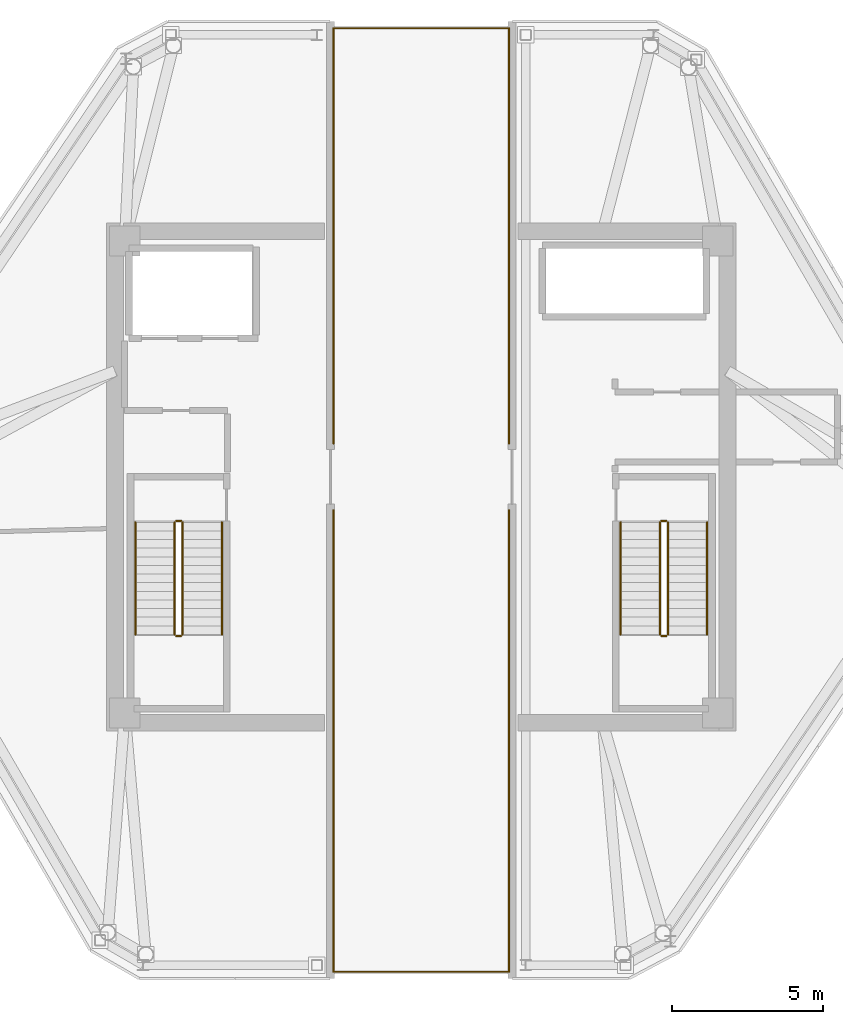
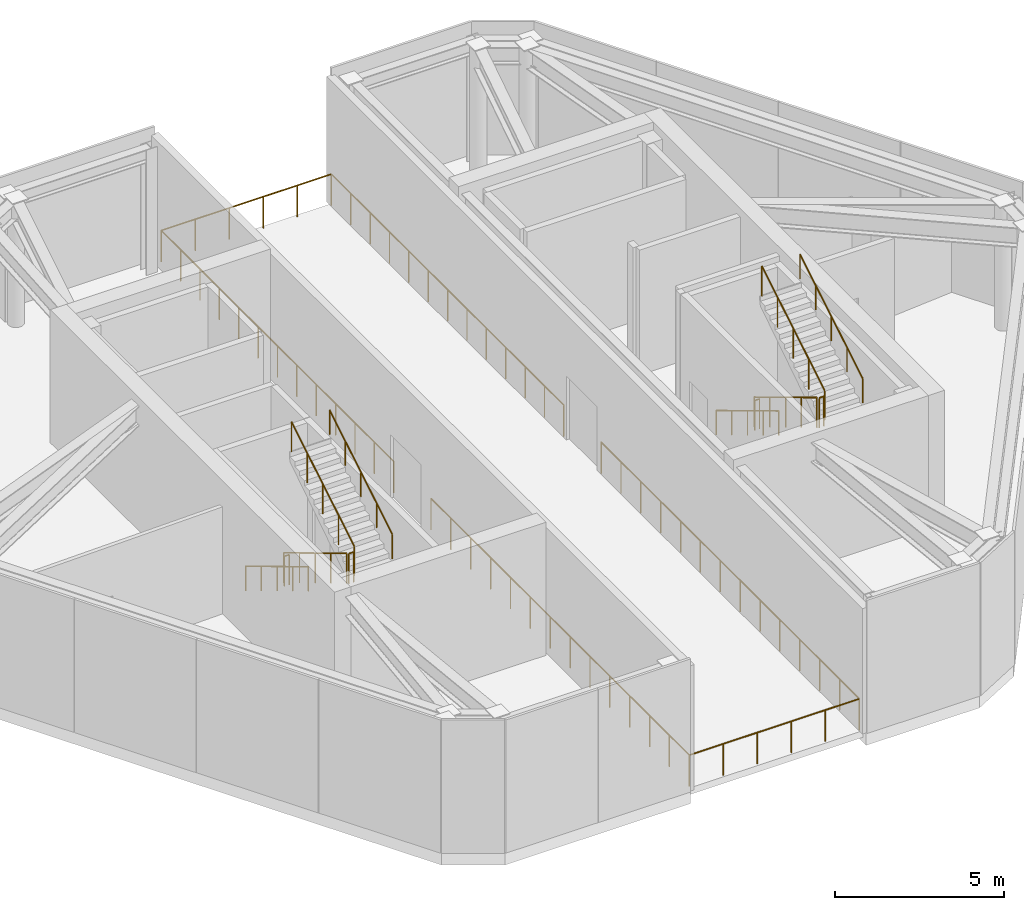
# One storey, part 8 of 8: 18 railings.
"""IFC4 building model written with IfcOpenShell, lengths in metres."""

import ifcopenshell
import ifcopenshell.guid

model = None  # the IFC model being written
_history = None  # IfcOwnerHistory: only IFC2X3 demands one
_inside = {}  # id of a spatial element -> (the spatial element, [elements in it])
_under = {}  # id of a project, library or spatial element -> (it, [spatial elements below it])
_declared = {}  # id of a project -> (the project, [libraries it declares])
_typed = {}  # id of a type object -> (the type object, [elements of that type])
_made_of = {}  # id of a material, layer set ... -> (it, [elements and type objects made of it])


def new_model(schema):
    """Start an empty IFC model of exactly this schema.

    Asked for "IFC4X3", IfcOpenShell would pick the latest addendum, in which some entities
    have other attributes; the version numbers below select the first issue.
    IFC2X3 requires an IfcOwnerHistory on every rooted entity: one is made here for all.
    """
    global model, _history
    if schema == "IFC4X3":
        model = ifcopenshell.file(schema_version=(4, 3, 0, 0))
    else:
        model = ifcopenshell.file(schema=schema)
    _inside.clear()
    _under.clear()
    _declared.clear()
    _typed.clear()
    _made_of.clear()
    _history = None
    if model.schema == "IFC2X3":
        org = make("IfcOrganization", Name="unknown")
        user = make(
            "IfcPersonAndOrganization",
            ThePerson=make("IfcPerson", FamilyName="unknown"),
            TheOrganization=org,
        )
        app = make(
            "IfcApplication",
            ApplicationDeveloper=org,
            Version="unknown",
            ApplicationFullName="unknown",
            ApplicationIdentifier="unknown",
        )
        _history = make(
            "IfcOwnerHistory",
            OwningUser=user,
            OwningApplication=app,
            ChangeAction="ADDED",
            CreationDate=0,
        )
    return model


def make(cls, **values):
    """One entity of the class cls with the attributes given. An attribute that is None is left unset."""
    return model.create_entity(
        cls, **{name: value for name, value in values.items() if value is not None}
    )


def rooted(cls, **values):
    """An entity with a GlobalId (a new one), such as an element, a storey or a relation."""
    return make(cls, GlobalId=ifcopenshell.guid.new(), OwnerHistory=_history, **values)


def si_unit(unit_type, name, prefix=None):
    """IfcSIUnit, for example si_unit("LENGTHUNIT", "METRE", prefix="MILLI")."""
    return make("IfcSIUnit", UnitType=unit_type, Prefix=prefix, Name=name)


def assignment(units):
    """IfcUnitAssignment: the units of a project."""
    return None if units is None else make("IfcUnitAssignment", Units=units)


def point(xyz):
    """IfcCartesianPoint."""
    return None if xyz is None else make("IfcCartesianPoint", Coordinates=xyz)


def direction(xyz):
    """IfcDirection."""
    return None if xyz is None else make("IfcDirection", DirectionRatios=xyz)


def frame(location, z_axis=None, x_axis=None):
    """IfcAxis2Placement3D, a coordinate frame: its origin and axes. An axis left out is left unset."""
    return make(
        "IfcAxis2Placement3D",
        Location=point(location),
        Axis=direction(z_axis),
        RefDirection=direction(x_axis),
    )


def frame_2d(location, x_axis=None):
    """IfcAxis2Placement2D, a coordinate frame in the plane: its origin and x axis."""
    return make(
        "IfcAxis2Placement2D", Location=point(location), RefDirection=direction(x_axis)
    )


def origin():
    """The frame at (0, 0, 0) with its axes left unset."""
    return frame((0.0, 0.0, 0.0))


def origin_2d():
    """The frame at (0, 0) in the plane with its x axis left unset."""
    return frame_2d((0.0, 0.0))


def place(relative_to, where):
    """IfcLocalPlacement: puts the frame where relative to a parent placement (None: the world)."""
    return make(
        "IfcLocalPlacement", PlacementRelTo=relative_to, RelativePlacement=where
    )


def context(
    kind, dimensions, precision=None, world=None, true_north=None, identifier=None
):
    """IfcGeometricRepresentationContext, for example the 3D "Model" context."""
    return make(
        "IfcGeometricRepresentationContext",
        ContextIdentifier=identifier,
        ContextType=kind,
        CoordinateSpaceDimension=dimensions,
        Precision=precision,
        WorldCoordinateSystem=world,
        TrueNorth=true_north,
    )


def subcontext(parent, identifier, kind, view, scale=None):
    """IfcGeometricRepresentationSubContext, for example "Body" below "Model"."""
    return make(
        "IfcGeometricRepresentationSubContext",
        ContextIdentifier=identifier,
        ContextType=kind,
        ParentContext=parent,
        TargetScale=scale,
        TargetView=view,
    )


def project(units=None, contexts=None):
    """IfcProject with its units and contexts."""
    return rooted(
        "IfcProject",
        Name="project",
        RepresentationContexts=contexts,
        UnitsInContext=assignment(units),
    )


def spatial(cls, under=None, at=None, **own):
    """A site, building, storey or space (cls), placed at a placement, below another one or the project."""
    s = rooted(cls, ObjectPlacement=at, **own)
    if under is not None:
        _under.setdefault(under.id(), (under, []))[1].append(s)
    return s


def profile(cls, at=None, kind="AREA", **sizes):
    """A parametric profile (cls). Its sizes go by their IFC names, for example OverallWidth=200.0."""
    return make(cls, ProfileType=kind, Position=at, **sizes)


def circle(**sizes):
    """IfcCircleProfileDef."""
    return profile("IfcCircleProfileDef", **sizes)


def extrude(swept, where, along, depth):
    """IfcExtrudedAreaSolid: the profile swept, set in the frame where, extruded along a direction by depth."""
    return make(
        "IfcExtrudedAreaSolid",
        SweptArea=swept,
        Position=where,
        ExtrudedDirection=direction(along),
        Depth=depth,
    )


def shape(context_of_items, identifier, shape_type, items):
    """IfcShapeRepresentation: the items that make up one representation, for example the "Body"."""
    return make(
        "IfcShapeRepresentation",
        ContextOfItems=context_of_items,
        RepresentationIdentifier=identifier,
        RepresentationType=shape_type,
        Items=items,
    )


def material(Name=None, Category=None):
    """IfcMaterial."""
    return make("IfcMaterial", Name=Name, Category=Category)


def made_of(thing, what):
    """Note that an element or type object is made of a material, layer set ...; save() writes the relation."""
    if what is not None:
        _made_of.setdefault(what.id(), (what, []))[1].append(thing)
    return thing


def type_object(cls, material=None, **own):
    """A type object (cls), such as IfcWallType, which elements share."""
    return made_of(rooted(cls, **own), material)


def element(
    cls,
    number,
    at=None,
    inside=None,
    cuts=None,
    type_object=None,
    material=None,
    context=None,
    identifier="Body",
    shape_type=None,
    held_by="IfcProductDefinitionShape",
    body=None,
    shapes=None,
    **own,
):
    """One element of the class cls, such as IfcWall. Its Tag is "e" and its number.

    at: its placement. inside: the storey or other place that contains it. cuts: it is an
    opening in that element (IfcRelVoidsElement). A single representation is given by context,
    identifier, shape_type and body (its items); several are given by shapes. held_by: the class
    of the entity that holds the representations. save() writes the other relations.
    """
    e = rooted(cls, Tag="e%d" % number, ObjectPlacement=at, **own)
    if body is not None:
        shapes = [shape(context, identifier, shape_type, body)]
    if shapes is not None:
        e.Representation = make(held_by, Representations=shapes)
    if inside is not None:
        _inside.setdefault(inside.id(), (inside, []))[1].append(e)
    if cuts is not None:
        rooted(
            "IfcRelVoidsElement", RelatingBuildingElement=cuts, RelatedOpeningElement=e
        )
    if type_object is not None:
        _typed.setdefault(type_object.id(), (type_object, []))[1].append(e)
    return made_of(e, material)


def aggregate(whole, parts):
    """IfcRelAggregates: a whole, such as a stair, and the parts it consists of."""
    return rooted("IfcRelAggregates", RelatingObject=whole, RelatedObjects=parts)


def save(model, path):
    """Write the relations noted so far, then the file.

    IfcRelAggregates (storeys below a building ...), IfcRelContainedInSpatialStructure (elements
    in a storey), IfcRelDefinesByType, IfcRelAssociatesMaterial and IfcRelDeclares: one each for
    every whole, place, type object, material and project.
    """
    for whole, parts in _under.values():
        aggregate(whole, parts)
    for where, things in _inside.values():
        rooted(
            "IfcRelContainedInSpatialStructure",
            RelatedElements=things,
            RelatingStructure=where,
        )
    for kind, things in _typed.values():
        rooted("IfcRelDefinesByType", RelatedObjects=things, RelatingType=kind)
    for what, things in _made_of.values():
        rooted("IfcRelAssociatesMaterial", RelatedObjects=things, RelatingMaterial=what)
    for by, libraries in _declared.values():
        rooted("IfcRelDeclares", RelatingContext=by, RelatedDefinitions=libraries)
    model.write(path)


model = new_model("IFC4")

# Units and contexts
model_context = context("Model", 3, precision=1e-05, world=origin(), true_north=direction((0.0, 1.0)))
body_context = subcontext(model_context, "Body", "Model", "MODEL_VIEW")
ifc_project = project(units=[si_unit("LENGTHUNIT", "METRE"), si_unit("AREAUNIT", "SQUARE_METRE"), si_unit("VOLUMEUNIT", "CUBIC_METRE"), si_unit("PLANEANGLEUNIT", "RADIAN"), si_unit("MASSUNIT", "GRAM", prefix="KILO")], contexts=[model_context])

# Site, building, storey
site_placement = place(None, origin())
site = spatial("IfcSite", under=ifc_project, at=site_placement, CompositionType="ELEMENT")
building_placement = place(site_placement, origin())
building = spatial("IfcBuilding", under=site, at=building_placement, Name="Durnholm Broadcast Tower", CompositionType="ELEMENT")
storey_placement = place(building_placement, frame((0.0, 0.0, 272.5)))
storey = spatial("IfcBuildingStorey", under=building, at=storey_placement, Name="L76", CompositionType="ELEMENT", Elevation=272.5)

# Railings
ifc_material_1 = material(Name="Painted Tubular Steel Stair Guardrail", Category="steel")
railing_type_1 = type_object("IfcRailingType", Name="RAIL-ST-GRD", PredefinedType="GUARDRAIL", material=ifc_material_1)
railing_1_placement = place(storey_placement, frame((-8.14990234375, -1.5, 0.17138671875)))
element("IfcRailing", 1, at=railing_1_placement, inside=storey, type_object=railing_type_1, Name="L76 ST-1 stair guard 1", PredefinedType="GUARDRAIL", context=body_context, shape_type="SweptSolid", body=[
    extrude(circle(Radius=0.02392578125, at=origin_2d()), frame((0.0, 0.0, 1.076171875), z_axis=(0.0, -0.856934400257, 0.515425487977), x_axis=(1.0, 0.0, 0.0)), (0.0, 0.0, 1.0), 4.32373046875),
    extrude(circle(Radius=0.02099609375, at=origin_2d()), origin(), (0.0, 0.0, 1.0), 1.052001953125),
    extrude(circle(Radius=0.02099609375, at=origin_2d()), frame((0.0, -0.92626953125, 0.55712890625)), (0.0, 0.0, 1.0), 1.052001953125),
    extrude(circle(Radius=0.02099609375, at=origin_2d()), frame((0.0, -1.8525390625, 1.1142578125)), (0.0, 0.0, 1.0), 1.052001953125),
    extrude(circle(Radius=0.02099609375, at=origin_2d()), frame((0.0, -2.77880859375, 1.67138671875)), (0.0, 0.0, 1.0), 1.052001953125),
    extrude(circle(Radius=0.02099609375, at=origin_2d()), frame((0.0, -3.705078125, 2.228515625)), (0.0, 0.0, 1.0), 1.052001953125),
])
railing_2_placement = place(storey_placement, frame((-8.10009765625, -5.2548828125, 2.39990234375)))
element("IfcRailing", 2, at=railing_2_placement, inside=storey, type_object=railing_type_1, Name="L76 ST-1 stair guard 2", PredefinedType="GUARDRAIL", context=body_context, shape_type="SweptSolid", body=[
    extrude(circle(Radius=0.02392578125, at=origin_2d()), frame((0.0, 0.0, 1.076171875), z_axis=(1.0, 0.0, 0.0), x_axis=(0.0, 1.0, 0.0)), (0.0, 0.0, 1.0), 0.16015625),
    extrude(circle(Radius=0.02099609375, at=origin_2d()), origin(), (0.0, 0.0, 1.0), 1.052001953125),
    extrude(circle(Radius=0.02099609375, at=origin_2d()), frame((0.16015625, 0.0, 0.0)), (0.0, 0.0, 1.0), 1.052001953125),
])
railing_3_placement = place(storey_placement, frame((-7.889892578125, -5.205078125, 2.571533203125)))
element("IfcRailing", 3, at=railing_3_placement, inside=storey, type_object=railing_type_1, Name="L76 ST-1 stair guard 3", PredefinedType="GUARDRAIL", context=body_context, shape_type="SweptSolid", body=[
    extrude(circle(Radius=0.02392578125, at=origin_2d()), frame((0.0, 0.0, 1.076171875), z_axis=(0.0, 0.856934400257, 0.515425487977), x_axis=(-1.0, 0.0, 0.0)), (0.0, 0.0, 1.0), 4.32373046875),
    extrude(circle(Radius=0.02099609375, at=origin_2d()), origin(), (0.0, 0.0, 1.0), 1.052001953125),
    extrude(circle(Radius=0.02099609375, at=origin_2d()), frame((0.0, 0.92626953125, 0.55712890625)), (0.0, 0.0, 1.0), 1.052001953125),
    extrude(circle(Radius=0.02099609375, at=origin_2d()), frame((0.0, 1.8525390625, 1.1142578125)), (0.0, 0.0, 1.0), 1.052001953125),
    extrude(circle(Radius=0.02099609375, at=origin_2d()), frame((0.0, 2.77880859375, 1.67138671875)), (0.0, 0.0, 1.0), 1.052001953125),
    extrude(circle(Radius=0.02099609375, at=origin_2d()), frame((0.0, 3.705078125, 2.228515625)), (0.0, 0.0, 1.0), 1.052001953125),
])
railing_4_placement = place(storey_placement, frame((-8.10009765625, -1.449951171875, 0.0)))
element("IfcRailing", 4, at=railing_4_placement, inside=storey, type_object=railing_type_1, Name="L76 ST-1 stair guard 4", PredefinedType="GUARDRAIL", context=body_context, shape_type="SweptSolid", body=[
    extrude(circle(Radius=0.02392578125, at=origin_2d()), frame((0.0, 0.0, 1.076171875), z_axis=(1.0, 0.0, 0.0), x_axis=(0.0, 1.0, 0.0)), (0.0, 0.0, 1.0), 0.16015625),
    extrude(circle(Radius=0.02099609375, at=origin_2d()), origin(), (0.0, 0.0, 1.0), 1.052001953125),
    extrude(circle(Radius=0.02099609375, at=origin_2d()), frame((0.16015625, 0.0, 0.0)), (0.0, 0.0, 1.0), 1.052001953125),
])
railing_5_placement = place(storey_placement, frame((7.889892578125, -1.5, 0.17138671875)))
element("IfcRailing", 5, at=railing_5_placement, inside=storey, type_object=railing_type_1, Name="L76 ST-2 stair guard 1", PredefinedType="GUARDRAIL", context=body_context, shape_type="SweptSolid", body=[
    extrude(circle(Radius=0.02392578125, at=origin_2d()), frame((0.0, 0.0, 1.076171875), z_axis=(0.0, -0.856934400257, 0.515425487977), x_axis=(1.0, 0.0, 0.0)), (0.0, 0.0, 1.0), 4.32373046875),
    extrude(circle(Radius=0.02099609375, at=origin_2d()), origin(), (0.0, 0.0, 1.0), 1.052001953125),
    extrude(circle(Radius=0.02099609375, at=origin_2d()), frame((0.0, -0.92626953125, 0.55712890625)), (0.0, 0.0, 1.0), 1.052001953125),
    extrude(circle(Radius=0.02099609375, at=origin_2d()), frame((0.0, -1.8525390625, 1.1142578125)), (0.0, 0.0, 1.0), 1.052001953125),
    extrude(circle(Radius=0.02099609375, at=origin_2d()), frame((0.0, -2.77880859375, 1.67138671875)), (0.0, 0.0, 1.0), 1.052001953125),
    extrude(circle(Radius=0.02099609375, at=origin_2d()), frame((0.0, -3.705078125, 2.228515625)), (0.0, 0.0, 1.0), 1.052001953125),
])
railing_6_placement = place(storey_placement, frame((7.93994140625, -5.2548828125, 2.39990234375)))
element("IfcRailing", 6, at=railing_6_placement, inside=storey, type_object=railing_type_1, Name="L76 ST-2 stair guard 2", PredefinedType="GUARDRAIL", context=body_context, shape_type="SweptSolid", body=[
    extrude(circle(Radius=0.02392578125, at=origin_2d()), frame((0.0, 0.0, 1.076171875), z_axis=(1.0, 0.0, 0.0), x_axis=(0.0, 1.0, 0.0)), (0.0, 0.0, 1.0), 0.16015625),
    extrude(circle(Radius=0.02099609375, at=origin_2d()), origin(), (0.0, 0.0, 1.0), 1.052001953125),
    extrude(circle(Radius=0.02099609375, at=origin_2d()), frame((0.16015625, 0.0, 0.0)), (0.0, 0.0, 1.0), 1.052001953125),
])
railing_7_placement = place(storey_placement, frame((8.14990234375, -5.205078125, 2.571533203125)))
element("IfcRailing", 7, at=railing_7_placement, inside=storey, type_object=railing_type_1, Name="L76 ST-2 stair guard 3", PredefinedType="GUARDRAIL", context=body_context, shape_type="SweptSolid", body=[
    extrude(circle(Radius=0.02392578125, at=origin_2d()), frame((0.0, 0.0, 1.076171875), z_axis=(0.0, 0.856934400257, 0.515425487977), x_axis=(-1.0, 0.0, 0.0)), (0.0, 0.0, 1.0), 4.32373046875),
    extrude(circle(Radius=0.02099609375, at=origin_2d()), origin(), (0.0, 0.0, 1.0), 1.052001953125),
    extrude(circle(Radius=0.02099609375, at=origin_2d()), frame((0.0, 0.92626953125, 0.55712890625)), (0.0, 0.0, 1.0), 1.052001953125),
    extrude(circle(Radius=0.02099609375, at=origin_2d()), frame((0.0, 1.8525390625, 1.1142578125)), (0.0, 0.0, 1.0), 1.052001953125),
    extrude(circle(Radius=0.02099609375, at=origin_2d()), frame((0.0, 2.77880859375, 1.67138671875)), (0.0, 0.0, 1.0), 1.052001953125),
    extrude(circle(Radius=0.02099609375, at=origin_2d()), frame((0.0, 3.705078125, 2.228515625)), (0.0, 0.0, 1.0), 1.052001953125),
])
railing_8_placement = place(storey_placement, frame((7.93994140625, -1.449951171875, 0.0)))
element("IfcRailing", 8, at=railing_8_placement, inside=storey, type_object=railing_type_1, Name="L76 ST-2 stair guard 4", PredefinedType="GUARDRAIL", context=body_context, shape_type="SweptSolid", body=[
    extrude(circle(Radius=0.02392578125, at=origin_2d()), frame((0.0, 0.0, 1.076171875), z_axis=(1.0, 0.0, 0.0), x_axis=(0.0, 1.0, 0.0)), (0.0, 0.0, 1.0), 0.16015625),
    extrude(circle(Radius=0.02099609375, at=origin_2d()), origin(), (0.0, 0.0, 1.0), 1.052001953125),
    extrude(circle(Radius=0.02099609375, at=origin_2d()), frame((0.16015625, 0.0, 0.0)), (0.0, 0.0, 1.0), 1.052001953125),
])
ifc_material_2 = material(Name="Brushed Stainless Steel Handrail", Category="steel")
railing_type_2 = type_object("IfcRailingType", Name="RAIL-ST-HND", PredefinedType="HANDRAIL", material=ifc_material_2)
railing_9_placement = place(storey_placement, frame((-9.449951171875, -1.5, 0.3427734375)))
element("IfcRailing", 9, at=railing_9_placement, inside=storey, type_object=railing_type_2, Name="L76 ST-1 stair handrail 1", PredefinedType="HANDRAIL", context=body_context, shape_type="SweptSolid", body=[
    extrude(circle(Radius=0.02392578125, at=origin_2d()), frame((0.0, 0.0, 0.8759765625), z_axis=(0.0, -0.856909459561, 0.515466951525), x_axis=(1.0, 0.0, 0.0)), (0.0, 0.0, 1.0), 4.32373046875),
    extrude(circle(Radius=0.02099609375, at=origin_2d()), origin(), (0.0, 0.0, 1.0), 0.851806640625),
    extrude(circle(Radius=0.02099609375, at=origin_2d()), frame((0.0, -0.92626953125, 0.55712890625)), (0.0, 0.0, 1.0), 0.851806640625),
    extrude(circle(Radius=0.02099609375, at=origin_2d()), frame((0.0, -1.8525390625, 1.1142578125)), (0.0, 0.0, 1.0), 0.851806640625),
    extrude(circle(Radius=0.02099609375, at=origin_2d()), frame((0.0, -2.77880859375, 1.671630859375)), (0.0, 0.0, 1.0), 0.851806640625),
    extrude(circle(Radius=0.02099609375, at=origin_2d()), frame((0.0, -3.705078125, 2.228759765625)), (0.0, 0.0, 1.0), 0.851806640625),
])
railing_10_placement = place(storey_placement, frame((-6.590087890625, -5.205078125, 2.742919921875)))
element("IfcRailing", 10, at=railing_10_placement, inside=storey, type_object=railing_type_2, Name="L76 ST-1 stair handrail 2", PredefinedType="HANDRAIL", context=body_context, shape_type="SweptSolid", body=[
    extrude(circle(Radius=0.02392578125, at=origin_2d()), frame((0.0, 0.0, 0.8759765625), z_axis=(0.0, 0.856934400257, 0.515425487977), x_axis=(-1.0, 0.0, 0.0)), (0.0, 0.0, 1.0), 4.32373046875),
    extrude(circle(Radius=0.02099609375, at=origin_2d()), origin(), (0.0, 0.0, 1.0), 0.851806640625),
    extrude(circle(Radius=0.02099609375, at=origin_2d()), frame((0.0, 0.92626953125, 0.55712890625)), (0.0, 0.0, 1.0), 0.851806640625),
    extrude(circle(Radius=0.02099609375, at=origin_2d()), frame((0.0, 1.8525390625, 1.1142578125)), (0.0, 0.0, 1.0), 0.851806640625),
    extrude(circle(Radius=0.02099609375, at=origin_2d()), frame((0.0, 2.77880859375, 1.67138671875)), (0.0, 0.0, 1.0), 0.851806640625),
    extrude(circle(Radius=0.02099609375, at=origin_2d()), frame((0.0, 3.705078125, 2.228515625)), (0.0, 0.0, 1.0), 0.851806640625),
])
railing_11_placement = place(storey_placement, frame((6.590087890625, -1.5, 0.3427734375)))
element("IfcRailing", 11, at=railing_11_placement, inside=storey, type_object=railing_type_2, Name="L76 ST-2 stair handrail 1", PredefinedType="HANDRAIL", context=body_context, shape_type="SweptSolid", body=[
    extrude(circle(Radius=0.02392578125, at=origin_2d()), frame((0.0, 0.0, 0.8759765625), z_axis=(0.0, -0.856909459561, 0.515466951525), x_axis=(1.0, 0.0, 0.0)), (0.0, 0.0, 1.0), 4.32373046875),
    extrude(circle(Radius=0.02099609375, at=origin_2d()), origin(), (0.0, 0.0, 1.0), 0.851806640625),
    extrude(circle(Radius=0.02099609375, at=origin_2d()), frame((0.0, -0.92626953125, 0.55712890625)), (0.0, 0.0, 1.0), 0.851806640625),
    extrude(circle(Radius=0.02099609375, at=origin_2d()), frame((0.0, -1.8525390625, 1.1142578125)), (0.0, 0.0, 1.0), 0.851806640625),
    extrude(circle(Radius=0.02099609375, at=origin_2d()), frame((0.0, -2.77880859375, 1.671630859375)), (0.0, 0.0, 1.0), 0.851806640625),
    extrude(circle(Radius=0.02099609375, at=origin_2d()), frame((0.0, -3.705078125, 2.228759765625)), (0.0, 0.0, 1.0), 0.851806640625),
])
railing_12_placement = place(storey_placement, frame((9.449951171875, -5.205078125, 2.742919921875)))
element("IfcRailing", 12, at=railing_12_placement, inside=storey, type_object=railing_type_2, Name="L76 ST-2 stair handrail 2", PredefinedType="HANDRAIL", context=body_context, shape_type="SweptSolid", body=[
    extrude(circle(Radius=0.02392578125, at=origin_2d()), frame((0.0, 0.0, 0.8759765625), z_axis=(0.0, 0.856934400257, 0.515425487977), x_axis=(-1.0, 0.0, 0.0)), (0.0, 0.0, 1.0), 4.32373046875),
    extrude(circle(Radius=0.02099609375, at=origin_2d()), origin(), (0.0, 0.0, 1.0), 0.851806640625),
    extrude(circle(Radius=0.02099609375, at=origin_2d()), frame((0.0, 0.92626953125, 0.55712890625)), (0.0, 0.0, 1.0), 0.851806640625),
    extrude(circle(Radius=0.02099609375, at=origin_2d()), frame((0.0, 1.8525390625, 1.1142578125)), (0.0, 0.0, 1.0), 0.851806640625),
    extrude(circle(Radius=0.02099609375, at=origin_2d()), frame((0.0, 2.77880859375, 1.67138671875)), (0.0, 0.0, 1.0), 0.851806640625),
    extrude(circle(Radius=0.02099609375, at=origin_2d()), frame((0.0, 3.705078125, 2.228515625)), (0.0, 0.0, 1.0), 0.851806640625),
])
ifc_material_3 = material(Name="Stainless Steel and Laminated Glass Guardrail", Category="steel")
railing_type_3 = type_object("IfcRailingType", Name="RAIL-TERR-1150", PredefinedType="GUARDRAIL", material=ifc_material_3)
for number, where, name in (
    (13, (-2.89990234375, -16.35595703125, 0.0), "L76 sky-cleft south open-end guardrail"),
    (14, (-2.89990234375, 14.83203125, 0.0), "L76 sky-cleft north open-end guardrail"),
):
    element("IfcRailing", number, at=place(storey_placement, frame(where)), inside=storey, type_object=railing_type_3, Name=name, PredefinedType="GUARDRAIL", context=body_context, shape_type="SweptSolid", body=[
        extrude(circle(Radius=0.02392578125, at=origin_2d()), frame((0.0, 0.0, 1.1259765625), z_axis=(1.0, 0.0, 0.0), x_axis=(0.0, 1.0, 0.0)), (0.0, 0.0, 1.0), 5.7998046875),
        extrude(circle(Radius=0.02099609375, at=origin_2d()), origin(), (0.0, 0.0, 1.0), 1.101806640625),
        extrude(circle(Radius=0.02099609375, at=origin_2d()), frame((1.159912109375, 0.0, 0.0)), (0.0, 0.0, 1.0), 1.101806640625),
        extrude(circle(Radius=0.02099609375, at=origin_2d()), frame((2.31982421875, 0.0, 0.0)), (0.0, 0.0, 1.0), 1.101806640625),
        extrude(circle(Radius=0.02099609375, at=origin_2d()), frame((3.47998046875, 0.0, 0.0)), (0.0, 0.0, 1.0), 1.101806640625),
        extrude(circle(Radius=0.02099609375, at=origin_2d()), frame((4.639892578125, 0.0, 0.0)), (0.0, 0.0, 1.0), 1.101806640625),
        extrude(circle(Radius=0.02099609375, at=origin_2d()), frame((5.7998046875, 0.0, 0.0)), (0.0, 0.0, 1.0), 1.101806640625),
    ])
railing_13_placement = place(storey_placement, frame((-2.89990234375, -16.35595703125, 0.0)))
element("IfcRailing", 15, at=railing_13_placement, inside=storey, type_object=railing_type_3, Name="L76 sky-cleft W south-return guardrail", PredefinedType="GUARDRAIL", context=body_context, shape_type="SweptSolid", body=[
    extrude(circle(Radius=0.02392578125, at=origin_2d()), frame((0.0, 0.0, 1.1259765625), z_axis=(0.0, 1.0, 0.0), x_axis=(-1.0, 0.0, 0.0)), (0.0, 0.0, 1.0), 15.255859375),
    extrude(circle(Radius=0.02099609375, at=origin_2d()), origin(), (0.0, 0.0, 1.0), 1.101806640625),
    extrude(circle(Radius=0.02099609375, at=origin_2d()), frame((0.0, 1.173583984375, 0.0)), (0.0, 0.0, 1.0), 1.101806640625),
    extrude(circle(Radius=0.02099609375, at=origin_2d()), frame((0.0, 2.34716796875, 0.0)), (0.0, 0.0, 1.0), 1.101806640625),
    extrude(circle(Radius=0.02099609375, at=origin_2d()), frame((0.0, 3.5205078125, 0.0)), (0.0, 0.0, 1.0), 1.101806640625),
    extrude(circle(Radius=0.02099609375, at=origin_2d()), frame((0.0, 4.694091796875, 0.0)), (0.0, 0.0, 1.0), 1.101806640625),
    extrude(circle(Radius=0.02099609375, at=origin_2d()), frame((0.0, 5.86767578125, 0.0)), (0.0, 0.0, 1.0), 1.101806640625),
    extrude(circle(Radius=0.02099609375, at=origin_2d()), frame((0.0, 7.041259765625, 0.0)), (0.0, 0.0, 1.0), 1.101806640625),
    extrude(circle(Radius=0.02099609375, at=origin_2d()), frame((0.0, 8.214599609375, 0.0)), (0.0, 0.0, 1.0), 1.101806640625),
    extrude(circle(Radius=0.02099609375, at=origin_2d()), frame((0.0, 9.38818359375, 0.0)), (0.0, 0.0, 1.0), 1.101806640625),
    extrude(circle(Radius=0.02099609375, at=origin_2d()), frame((0.0, 10.561767578125, 0.0)), (0.0, 0.0, 1.0), 1.101806640625),
    extrude(circle(Radius=0.02099609375, at=origin_2d()), frame((0.0, 11.7353515625, 0.0)), (0.0, 0.0, 1.0), 1.101806640625),
    extrude(circle(Radius=0.02099609375, at=origin_2d()), frame((0.0, 12.90869140625, 0.0)), (0.0, 0.0, 1.0), 1.101806640625),
    extrude(circle(Radius=0.02099609375, at=origin_2d()), frame((0.0, 14.082275390625, 0.0)), (0.0, 0.0, 1.0), 1.101806640625),
    extrude(circle(Radius=0.02099609375, at=origin_2d()), frame((0.0, 15.255859375, 0.0)), (0.0, 0.0, 1.0), 1.101806640625),
])
railing_14_placement = place(storey_placement, frame((-2.89990234375, 1.10009765625, 0.0)))
element("IfcRailing", 16, at=railing_14_placement, inside=storey, type_object=railing_type_3, Name="L76 sky-cleft W north-return guardrail", PredefinedType="GUARDRAIL", context=body_context, shape_type="SweptSolid", body=[
    extrude(circle(Radius=0.02392578125, at=origin_2d()), frame((0.0, 0.0, 1.1259765625), z_axis=(0.0, 1.0, 0.0), x_axis=(-1.0, 0.0, 0.0)), (0.0, 0.0, 1.0), 13.73193359375),
    extrude(circle(Radius=0.02099609375, at=origin_2d()), origin(), (0.0, 0.0, 1.0), 1.101806640625),
    extrude(circle(Radius=0.02099609375, at=origin_2d()), frame((0.0, 1.144287109375, 0.0)), (0.0, 0.0, 1.0), 1.101806640625),
    extrude(circle(Radius=0.02099609375, at=origin_2d()), frame((0.0, 2.28857421875, 0.0)), (0.0, 0.0, 1.0), 1.101806640625),
    extrude(circle(Radius=0.02099609375, at=origin_2d()), frame((0.0, 3.43310546875, 0.0)), (0.0, 0.0, 1.0), 1.101806640625),
    extrude(circle(Radius=0.02099609375, at=origin_2d()), frame((0.0, 4.577392578125, 0.0)), (0.0, 0.0, 1.0), 1.101806640625),
    extrude(circle(Radius=0.02099609375, at=origin_2d()), frame((0.0, 5.7216796875, 0.0)), (0.0, 0.0, 1.0), 1.101806640625),
    extrude(circle(Radius=0.02099609375, at=origin_2d()), frame((0.0, 6.865966796875, 0.0)), (0.0, 0.0, 1.0), 1.101806640625),
    extrude(circle(Radius=0.02099609375, at=origin_2d()), frame((0.0, 8.01025390625, 0.0)), (0.0, 0.0, 1.0), 1.101806640625),
    extrude(circle(Radius=0.02099609375, at=origin_2d()), frame((0.0, 9.154541015625, 0.0)), (0.0, 0.0, 1.0), 1.101806640625),
    extrude(circle(Radius=0.02099609375, at=origin_2d()), frame((0.0, 10.298828125, 0.0)), (0.0, 0.0, 1.0), 1.101806640625),
    extrude(circle(Radius=0.02099609375, at=origin_2d()), frame((0.0, 11.443359375, 0.0)), (0.0, 0.0, 1.0), 1.101806640625),
    extrude(circle(Radius=0.02099609375, at=origin_2d()), frame((0.0, 12.587646484375, 0.0)), (0.0, 0.0, 1.0), 1.101806640625),
    extrude(circle(Radius=0.02099609375, at=origin_2d()), frame((0.0, 13.73193359375, 0.0)), (0.0, 0.0, 1.0), 1.101806640625),
])
railing_15_placement = place(storey_placement, frame((2.89990234375, -16.35595703125, 0.0)))
element("IfcRailing", 17, at=railing_15_placement, inside=storey, type_object=railing_type_3, Name="L76 sky-cleft E south-return guardrail", PredefinedType="GUARDRAIL", context=body_context, shape_type="SweptSolid", body=[
    extrude(circle(Radius=0.02392578125, at=origin_2d()), frame((0.0, 0.0, 1.1259765625), z_axis=(0.0, 1.0, 0.0), x_axis=(-1.0, 0.0, 0.0)), (0.0, 0.0, 1.0), 15.255859375),
    extrude(circle(Radius=0.02099609375, at=origin_2d()), origin(), (0.0, 0.0, 1.0), 1.101806640625),
    extrude(circle(Radius=0.02099609375, at=origin_2d()), frame((0.0, 1.173583984375, 0.0)), (0.0, 0.0, 1.0), 1.101806640625),
    extrude(circle(Radius=0.02099609375, at=origin_2d()), frame((0.0, 2.34716796875, 0.0)), (0.0, 0.0, 1.0), 1.101806640625),
    extrude(circle(Radius=0.02099609375, at=origin_2d()), frame((0.0, 3.5205078125, 0.0)), (0.0, 0.0, 1.0), 1.101806640625),
    extrude(circle(Radius=0.02099609375, at=origin_2d()), frame((0.0, 4.694091796875, 0.0)), (0.0, 0.0, 1.0), 1.101806640625),
    extrude(circle(Radius=0.02099609375, at=origin_2d()), frame((0.0, 5.86767578125, 0.0)), (0.0, 0.0, 1.0), 1.101806640625),
    extrude(circle(Radius=0.02099609375, at=origin_2d()), frame((0.0, 7.041259765625, 0.0)), (0.0, 0.0, 1.0), 1.101806640625),
    extrude(circle(Radius=0.02099609375, at=origin_2d()), frame((0.0, 8.214599609375, 0.0)), (0.0, 0.0, 1.0), 1.101806640625),
    extrude(circle(Radius=0.02099609375, at=origin_2d()), frame((0.0, 9.38818359375, 0.0)), (0.0, 0.0, 1.0), 1.101806640625),
    extrude(circle(Radius=0.02099609375, at=origin_2d()), frame((0.0, 10.561767578125, 0.0)), (0.0, 0.0, 1.0), 1.101806640625),
    extrude(circle(Radius=0.02099609375, at=origin_2d()), frame((0.0, 11.7353515625, 0.0)), (0.0, 0.0, 1.0), 1.101806640625),
    extrude(circle(Radius=0.02099609375, at=origin_2d()), frame((0.0, 12.90869140625, 0.0)), (0.0, 0.0, 1.0), 1.101806640625),
    extrude(circle(Radius=0.02099609375, at=origin_2d()), frame((0.0, 14.082275390625, 0.0)), (0.0, 0.0, 1.0), 1.101806640625),
    extrude(circle(Radius=0.02099609375, at=origin_2d()), frame((0.0, 15.255859375, 0.0)), (0.0, 0.0, 1.0), 1.101806640625),
])
railing_16_placement = place(storey_placement, frame((2.89990234375, 1.10009765625, 0.0)))
element("IfcRailing", 18, at=railing_16_placement, inside=storey, type_object=railing_type_3, Name="L76 sky-cleft E north-return guardrail", PredefinedType="GUARDRAIL", context=body_context, shape_type="SweptSolid", body=[
    extrude(circle(Radius=0.02392578125, at=origin_2d()), frame((0.0, 0.0, 1.1259765625), z_axis=(0.0, 1.0, 0.0), x_axis=(-1.0, 0.0, 0.0)), (0.0, 0.0, 1.0), 13.73193359375),
    extrude(circle(Radius=0.02099609375, at=origin_2d()), origin(), (0.0, 0.0, 1.0), 1.101806640625),
    extrude(circle(Radius=0.02099609375, at=origin_2d()), frame((0.0, 1.144287109375, 0.0)), (0.0, 0.0, 1.0), 1.101806640625),
    extrude(circle(Radius=0.02099609375, at=origin_2d()), frame((0.0, 2.28857421875, 0.0)), (0.0, 0.0, 1.0), 1.101806640625),
    extrude(circle(Radius=0.02099609375, at=origin_2d()), frame((0.0, 3.43310546875, 0.0)), (0.0, 0.0, 1.0), 1.101806640625),
    extrude(circle(Radius=0.02099609375, at=origin_2d()), frame((0.0, 4.577392578125, 0.0)), (0.0, 0.0, 1.0), 1.101806640625),
    extrude(circle(Radius=0.02099609375, at=origin_2d()), frame((0.0, 5.7216796875, 0.0)), (0.0, 0.0, 1.0), 1.101806640625),
    extrude(circle(Radius=0.02099609375, at=origin_2d()), frame((0.0, 6.865966796875, 0.0)), (0.0, 0.0, 1.0), 1.101806640625),
    extrude(circle(Radius=0.02099609375, at=origin_2d()), frame((0.0, 8.01025390625, 0.0)), (0.0, 0.0, 1.0), 1.101806640625),
    extrude(circle(Radius=0.02099609375, at=origin_2d()), frame((0.0, 9.154541015625, 0.0)), (0.0, 0.0, 1.0), 1.101806640625),
    extrude(circle(Radius=0.02099609375, at=origin_2d()), frame((0.0, 10.298828125, 0.0)), (0.0, 0.0, 1.0), 1.101806640625),
    extrude(circle(Radius=0.02099609375, at=origin_2d()), frame((0.0, 11.443359375, 0.0)), (0.0, 0.0, 1.0), 1.101806640625),
    extrude(circle(Radius=0.02099609375, at=origin_2d()), frame((0.0, 12.587646484375, 0.0)), (0.0, 0.0, 1.0), 1.101806640625),
    extrude(circle(Radius=0.02099609375, at=origin_2d()), frame((0.0, 13.73193359375, 0.0)), (0.0, 0.0, 1.0), 1.101806640625),
])

save(model, "model.ifc")
